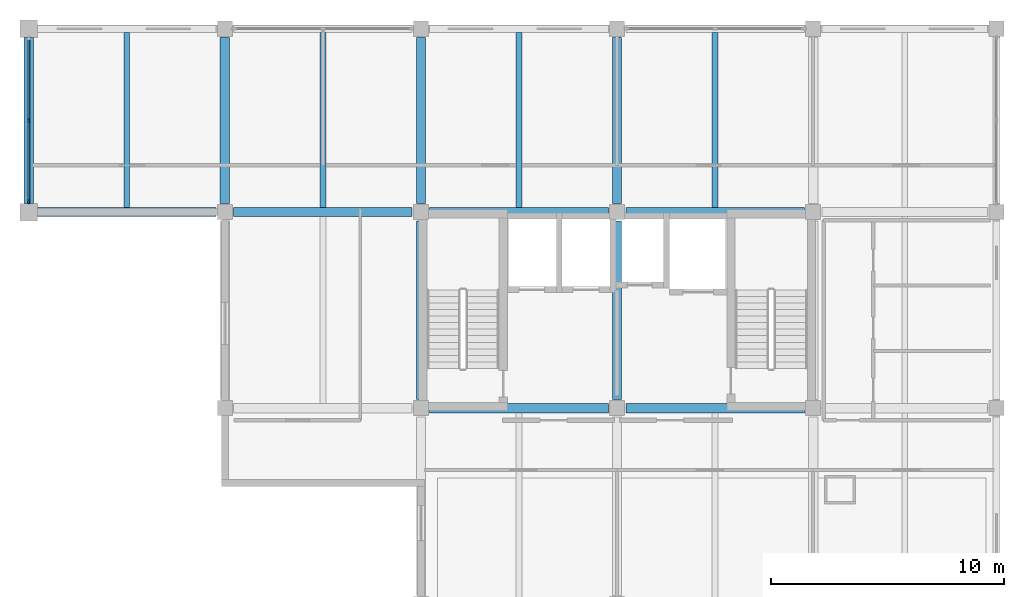
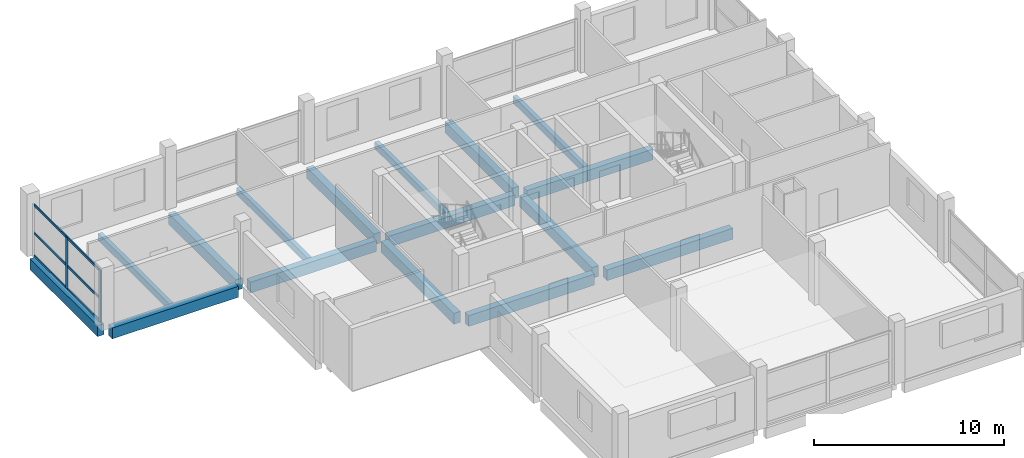
# One storey, part 3 of 9: 16 beams, 8 members, 1 element without a shape of its own.
"""IFC4 building model written with IfcOpenShell, lengths in metres."""

import ifcopenshell
import ifcopenshell.guid

model = None  # the IFC model being written
_history = None  # IfcOwnerHistory: only IFC2X3 demands one
_inside = {}  # id of a spatial element -> (the spatial element, [elements in it])
_under = {}  # id of a project, library or spatial element -> (it, [spatial elements below it])
_declared = {}  # id of a project -> (the project, [libraries it declares])
_typed = {}  # id of a type object -> (the type object, [elements of that type])
_made_of = {}  # id of a material, layer set ... -> (it, [elements and type objects made of it])


def new_model(schema):
    """Start an empty IFC model of exactly this schema.

    Asked for "IFC4X3", IfcOpenShell would pick the latest addendum, in which some entities
    have other attributes; the version numbers below select the first issue.
    IFC2X3 requires an IfcOwnerHistory on every rooted entity: one is made here for all.
    """
    global model, _history
    if schema == "IFC4X3":
        model = ifcopenshell.file(schema_version=(4, 3, 0, 0))
    else:
        model = ifcopenshell.file(schema=schema)
    _inside.clear()
    _under.clear()
    _declared.clear()
    _typed.clear()
    _made_of.clear()
    _history = None
    if model.schema == "IFC2X3":
        org = make("IfcOrganization", Name="unknown")
        user = make(
            "IfcPersonAndOrganization",
            ThePerson=make("IfcPerson", FamilyName="unknown"),
            TheOrganization=org,
        )
        app = make(
            "IfcApplication",
            ApplicationDeveloper=org,
            Version="unknown",
            ApplicationFullName="unknown",
            ApplicationIdentifier="unknown",
        )
        _history = make(
            "IfcOwnerHistory",
            OwningUser=user,
            OwningApplication=app,
            ChangeAction="ADDED",
            CreationDate=0,
        )
    return model


def make(cls, **values):
    """One entity of the class cls with the attributes given. An attribute that is None is left unset."""
    return model.create_entity(
        cls, **{name: value for name, value in values.items() if value is not None}
    )


def rooted(cls, **values):
    """An entity with a GlobalId (a new one), such as an element, a storey or a relation."""
    return make(cls, GlobalId=ifcopenshell.guid.new(), OwnerHistory=_history, **values)


def si_unit(unit_type, name, prefix=None):
    """IfcSIUnit, for example si_unit("LENGTHUNIT", "METRE", prefix="MILLI")."""
    return make("IfcSIUnit", UnitType=unit_type, Prefix=prefix, Name=name)


def assignment(units):
    """IfcUnitAssignment: the units of a project."""
    return None if units is None else make("IfcUnitAssignment", Units=units)


def point(xyz):
    """IfcCartesianPoint."""
    return None if xyz is None else make("IfcCartesianPoint", Coordinates=xyz)


def direction(xyz):
    """IfcDirection."""
    return None if xyz is None else make("IfcDirection", DirectionRatios=xyz)


def frame(location, z_axis=None, x_axis=None):
    """IfcAxis2Placement3D, a coordinate frame: its origin and axes. An axis left out is left unset."""
    return make(
        "IfcAxis2Placement3D",
        Location=point(location),
        Axis=direction(z_axis),
        RefDirection=direction(x_axis),
    )


def frame_2d(location, x_axis=None):
    """IfcAxis2Placement2D, a coordinate frame in the plane: its origin and x axis."""
    return make(
        "IfcAxis2Placement2D", Location=point(location), RefDirection=direction(x_axis)
    )


def origin():
    """The frame at (0, 0, 0) with its axes left unset."""
    return frame((0.0, 0.0, 0.0))


def origin_2d():
    """The frame at (0, 0) in the plane with its x axis left unset."""
    return frame_2d((0.0, 0.0))


def place(relative_to, where):
    """IfcLocalPlacement: puts the frame where relative to a parent placement (None: the world)."""
    return make(
        "IfcLocalPlacement", PlacementRelTo=relative_to, RelativePlacement=where
    )


def context(
    kind, dimensions, precision=None, world=None, true_north=None, identifier=None
):
    """IfcGeometricRepresentationContext, for example the 3D "Model" context."""
    return make(
        "IfcGeometricRepresentationContext",
        ContextIdentifier=identifier,
        ContextType=kind,
        CoordinateSpaceDimension=dimensions,
        Precision=precision,
        WorldCoordinateSystem=world,
        TrueNorth=true_north,
    )


def subcontext(parent, identifier, kind, view, scale=None):
    """IfcGeometricRepresentationSubContext, for example "Body" below "Model"."""
    return make(
        "IfcGeometricRepresentationSubContext",
        ContextIdentifier=identifier,
        ContextType=kind,
        ParentContext=parent,
        TargetScale=scale,
        TargetView=view,
    )


def project(units=None, contexts=None):
    """IfcProject with its units and contexts."""
    return rooted(
        "IfcProject",
        Name="project",
        RepresentationContexts=contexts,
        UnitsInContext=assignment(units),
    )


def spatial(cls, under=None, at=None, **own):
    """A site, building, storey or space (cls), placed at a placement, below another one or the project."""
    s = rooted(cls, ObjectPlacement=at, **own)
    if under is not None:
        _under.setdefault(under.id(), (under, []))[1].append(s)
    return s


def profile(cls, at=None, kind="AREA", **sizes):
    """A parametric profile (cls). Its sizes go by their IFC names, for example OverallWidth=200.0."""
    return make(cls, ProfileType=kind, Position=at, **sizes)


def rectangle(**sizes):
    """IfcRectangleProfileDef."""
    return profile("IfcRectangleProfileDef", **sizes)


def extrude(swept, where, along, depth):
    """IfcExtrudedAreaSolid: the profile swept, set in the frame where, extruded along a direction by depth."""
    return make(
        "IfcExtrudedAreaSolid",
        SweptArea=swept,
        Position=where,
        ExtrudedDirection=direction(along),
        Depth=depth,
    )


def shape(context_of_items, identifier, shape_type, items):
    """IfcShapeRepresentation: the items that make up one representation, for example the "Body"."""
    return make(
        "IfcShapeRepresentation",
        ContextOfItems=context_of_items,
        RepresentationIdentifier=identifier,
        RepresentationType=shape_type,
        Items=items,
    )


def material(Name=None, Category=None):
    """IfcMaterial."""
    return make("IfcMaterial", Name=Name, Category=Category)


def material_profile(
    of_material, cross_section, Name=None, Category=None, Priority=None
):
    """IfcMaterialProfile: a cross section and its material."""
    return make(
        "IfcMaterialProfile",
        Name=Name,
        Material=of_material,
        Profile=cross_section,
        Priority=Priority,
        Category=Category,
    )


def profile_set(profiles, Name=None, composite=None):
    """IfcMaterialProfileSet."""
    return make(
        "IfcMaterialProfileSet",
        Name=Name,
        MaterialProfiles=profiles,
        CompositeProfile=composite,
    )


def made_of(thing, what):
    """Note that an element or type object is made of a material, layer set ...; save() writes the relation."""
    if what is not None:
        _made_of.setdefault(what.id(), (what, []))[1].append(thing)
    return thing


def type_object(cls, material=None, **own):
    """A type object (cls), such as IfcWallType, which elements share."""
    return made_of(rooted(cls, **own), material)


def element(
    cls,
    number,
    at=None,
    inside=None,
    cuts=None,
    type_object=None,
    material=None,
    context=None,
    identifier="Body",
    shape_type=None,
    held_by="IfcProductDefinitionShape",
    body=None,
    shapes=None,
    **own,
):
    """One element of the class cls, such as IfcWall. Its Tag is "e" and its number.

    at: its placement. inside: the storey or other place that contains it. cuts: it is an
    opening in that element (IfcRelVoidsElement). A single representation is given by context,
    identifier, shape_type and body (its items); several are given by shapes. held_by: the class
    of the entity that holds the representations. save() writes the other relations.
    """
    e = rooted(cls, Tag="e%d" % number, ObjectPlacement=at, **own)
    if body is not None:
        shapes = [shape(context, identifier, shape_type, body)]
    if shapes is not None:
        e.Representation = make(held_by, Representations=shapes)
    if inside is not None:
        _inside.setdefault(inside.id(), (inside, []))[1].append(e)
    if cuts is not None:
        rooted(
            "IfcRelVoidsElement", RelatingBuildingElement=cuts, RelatedOpeningElement=e
        )
    if type_object is not None:
        _typed.setdefault(type_object.id(), (type_object, []))[1].append(e)
    return made_of(e, material)


def aggregate(whole, parts):
    """IfcRelAggregates: a whole, such as a stair, and the parts it consists of."""
    return rooted("IfcRelAggregates", RelatingObject=whole, RelatedObjects=parts)


def save(model, path):
    """Write the relations noted so far, then the file.

    IfcRelAggregates (storeys below a building ...), IfcRelContainedInSpatialStructure (elements
    in a storey), IfcRelDefinesByType, IfcRelAssociatesMaterial and IfcRelDeclares: one each for
    every whole, place, type object, material and project.
    """
    for whole, parts in _under.values():
        aggregate(whole, parts)
    for where, things in _inside.values():
        rooted(
            "IfcRelContainedInSpatialStructure",
            RelatedElements=things,
            RelatingStructure=where,
        )
    for kind, things in _typed.values():
        rooted("IfcRelDefinesByType", RelatedObjects=things, RelatingType=kind)
    for what, things in _made_of.values():
        rooted("IfcRelAssociatesMaterial", RelatedObjects=things, RelatingMaterial=what)
    for by, libraries in _declared.values():
        rooted("IfcRelDeclares", RelatingContext=by, RelatedDefinitions=libraries)
    model.write(path)


model = new_model("IFC4")

# Units and contexts
model_context = context("Model", 3, precision=1e-05, world=origin(), true_north=direction((0.0, 1.0)))
body_context = subcontext(model_context, "Body", "Model", "MODEL_VIEW")
ifc_project = project(units=[si_unit("LENGTHUNIT", "METRE"), si_unit("AREAUNIT", "SQUARE_METRE"), si_unit("VOLUMEUNIT", "CUBIC_METRE"), si_unit("PLANEANGLEUNIT", "RADIAN"), si_unit("MASSUNIT", "GRAM", prefix="KILO")], contexts=[model_context])

# Site, building, storey
site_placement = place(None, origin())
site = spatial("IfcSite", under=ifc_project, at=site_placement, CompositionType="ELEMENT")
building_placement = place(site_placement, origin())
building = spatial("IfcBuilding", under=site, at=building_placement, Name="Brinegate Botanical Conservatory", CompositionType="ELEMENT")
storey_placement = place(building_placement, frame((0.0, 0.0, 57.0)))
storey = spatial("IfcBuildingStorey", under=building, at=storey_placement, Name="L14", CompositionType="ELEMENT", Elevation=57.0)

# Beams
ifc_material_1 = material(Name="Concrete C40/50", Category="concrete")
ifc_material_profile_1 = material_profile(ifc_material_1, rectangle(XDim=0.39990234375, YDim=0.699951171875, at=origin_2d()), Name="RC BM 400x700")
ifc_profile_set_1 = profile_set([ifc_material_profile_1], Name="Concrete C40/50")
beam_type_1 = type_object("IfcBeamType", Name="Beam_BM-T2", PredefinedType="BEAM", material=ifc_profile_set_1)
beam_1_placement = place(storey_placement, frame((139.175048828125, 95.199951171875, -0.52001953125), z_axis=(1.0, 0.0, 0.0), x_axis=(0.0, 1.0, 0.0)))
element("IfcBeam", 1, at=beam_1_placement, inside=storey, type_object=beam_type_1, Name="Beam BM-T2 L14 M:18-19", PredefinedType="BEAM", context=body_context, shape_type="SweptSolid", body=[
    extrude(rectangle(XDim=0.39990234375, YDim=0.699951171875, at=origin_2d()), origin(), (0.0, 0.0, 1.0), 7.64990234375),
])
beam_2_placement = place(storey_placement, frame((147.574951171875, 95.199951171875, -0.52001953125), z_axis=(1.0, 0.0, 0.0), x_axis=(0.0, 1.0, 0.0)))
element("IfcBeam", 2, at=beam_2_placement, inside=storey, type_object=beam_type_1, Name="Beam BM-T2 L14 M:19-20", PredefinedType="BEAM", context=body_context, shape_type="SweptSolid", body=[
    extrude(rectangle(XDim=0.39990234375, YDim=0.699951171875, at=origin_2d()), origin(), (0.0, 0.0, 1.0), 7.650146484375),
])
beam_3_placement = place(storey_placement, frame((122.375, 103.60009765625, -0.52001953125), z_axis=(1.0, 0.0, 0.0), x_axis=(0.0, 1.0, 0.0)))
element("IfcBeam", 3, at=beam_3_placement, inside=storey, type_object=beam_type_1, Name="Beam BM-T2 L14 N:16-17", PredefinedType="BEAM", context=body_context, shape_type="SweptSolid", body=[
    extrude(rectangle(XDim=0.39990234375, YDim=0.699951171875, at=origin_2d()), origin(), (0.0, 0.0, 1.0), 7.64990234375),
])
beam_4_placement = place(storey_placement, frame((130.77490234375, 103.60009765625, -0.52001953125), z_axis=(1.0, 0.0, 0.0), x_axis=(0.0, 1.0, 0.0)))
element("IfcBeam", 4, at=beam_4_placement, inside=storey, type_object=beam_type_1, Name="Beam BM-T2 L14 N:17-18", PredefinedType="BEAM", context=body_context, shape_type="SweptSolid", body=[
    extrude(rectangle(XDim=0.39990234375, YDim=0.699951171875, at=origin_2d()), origin(), (0.0, 0.0, 1.0), 7.650146484375),
])
beam_5_placement = place(storey_placement, frame((139.175048828125, 103.60009765625, -0.52001953125), z_axis=(1.0, 0.0, 0.0), x_axis=(0.0, 1.0, 0.0)))
element("IfcBeam", 5, at=beam_5_placement, inside=storey, type_object=beam_type_1, Name="Beam BM-T2 L14 N:18-19", PredefinedType="BEAM", context=body_context, shape_type="SweptSolid", body=[
    extrude(rectangle(XDim=0.39990234375, YDim=0.699951171875, at=origin_2d()), origin(), (0.0, 0.0, 1.0), 7.64990234375),
])
beam_6_placement = place(storey_placement, frame((147.574951171875, 103.60009765625, -0.52001953125), z_axis=(1.0, 0.0, 0.0), x_axis=(0.0, 1.0, 0.0)))
element("IfcBeam", 6, at=beam_6_placement, inside=storey, type_object=beam_type_1, Name="Beam BM-T2 L14 N:19-20", PredefinedType="BEAM", context=body_context, shape_type="SweptSolid", body=[
    extrude(rectangle(XDim=0.39990234375, YDim=0.699951171875, at=origin_2d()), origin(), (0.0, 0.0, 1.0), 7.650146484375),
])
for number, where, z_axis, x_axis, name in (
    (7, (122.0, 103.97509765625, -0.52001953125), (0.0, 1.0, 0.0), (-1.0, 0.0, 0.0), "Beam BM-T2 L14 16:N-P"),
    (8, (130.39990234375, 103.97509765625, -0.52001953125), (0.0, 1.0, 0.0), (-1.0, 0.0, 0.0), "Beam BM-T2 L14 17:N-P"),
):
    element("IfcBeam", number, at=place(storey_placement, frame(where, z_axis=z_axis, x_axis=x_axis)), inside=storey, type_object=beam_type_1, Name=name, PredefinedType="BEAM", context=body_context, shape_type="SweptSolid", body=[
        extrude(rectangle(XDim=0.39990234375, YDim=0.699951171875, at=origin_2d()), origin(), (0.0, 0.0, 1.0), 7.099853515625),
    ])
beam_7_placement = place(storey_placement, frame((138.800048828125, 95.574951171875, -0.52001953125), z_axis=(0.0, 1.0, 0.0), x_axis=(-1.0, 0.0, 0.0)))
element("IfcBeam", 9, at=beam_7_placement, inside=storey, type_object=beam_type_1, Name="Beam BM-T2 L14 18:M-N", PredefinedType="BEAM", context=body_context, shape_type="SweptSolid", body=[
    extrude(rectangle(XDim=0.39990234375, YDim=0.699951171875, at=origin_2d()), origin(), (0.0, 0.0, 1.0), 7.650146484375),
])
beam_8_placement = place(storey_placement, frame((138.800048828125, 103.97509765625, -0.52001953125), z_axis=(0.0, 1.0, 0.0), x_axis=(-1.0, 0.0, 0.0)))
element("IfcBeam", 10, at=beam_8_placement, inside=storey, type_object=beam_type_1, Name="Beam BM-T2 L14 18:N-P", PredefinedType="BEAM", context=body_context, shape_type="SweptSolid", body=[
    extrude(rectangle(XDim=0.39990234375, YDim=0.699951171875, at=origin_2d()), origin(), (0.0, 0.0, 1.0), 7.099853515625),
])
beam_9_placement = place(storey_placement, frame((147.199951171875, 95.574951171875, -0.52001953125), z_axis=(0.0, 1.0, 0.0), x_axis=(-1.0, 0.0, 0.0)))
element("IfcBeam", 11, at=beam_9_placement, inside=storey, type_object=beam_type_1, Name="Beam BM-T2 L14 19:M-N", PredefinedType="BEAM", context=body_context, shape_type="SweptSolid", body=[
    extrude(rectangle(XDim=0.39990234375, YDim=0.699951171875, at=origin_2d()), origin(), (0.0, 0.0, 1.0), 7.650146484375),
])
beam_10_placement = place(storey_placement, frame((147.199951171875, 103.97509765625, -0.52001953125), z_axis=(0.0, 1.0, 0.0), x_axis=(-1.0, 0.0, 0.0)))
element("IfcBeam", 12, at=beam_10_placement, inside=storey, type_object=beam_type_1, Name="Beam BM-T2 L14 19:N-P", PredefinedType="BEAM", context=body_context, shape_type="SweptSolid", body=[
    extrude(rectangle(XDim=0.39990234375, YDim=0.699951171875, at=origin_2d()), origin(), (0.0, 0.0, 1.0), 7.099853515625),
])
ifc_material_profile_2 = material_profile(ifc_material_1, rectangle(XDim=0.25, YDim=0.449951171875, at=origin_2d()), Name="RC JST 250x450")
ifc_profile_set_2 = profile_set([ifc_material_profile_2], Name="Concrete C40/50")
beam_type_2 = type_object("IfcBeamType", Name="Beam_JS-C3", PredefinedType="JOIST", material=ifc_profile_set_2)
for number, where, z_axis, x_axis, name in (
    (13, (126.199951171875, 103.800048828125, -0.39501953125), (0.0, 1.0, 0.0), (-1.0, 0.0, 0.0), "Floor joist JS-C3 L14 bay 16.13"),
    (14, (134.60009765625, 103.800048828125, -0.39501953125), (0.0, 1.0, 0.0), (-1.0, 0.0, 0.0), "Floor joist JS-C3 L14 bay 17.13"),
    (15, (143.0, 103.800048828125, -0.39501953125), (0.0, 1.0, 0.0), (-1.0, 0.0, 0.0), "Floor joist JS-C3 L14 bay 18.13"),
    (16, (151.39990234375, 103.800048828125, -0.39501953125), (0.0, 1.0, 0.0), (-1.0, 0.0, 0.0), "Floor joist JS-C3 L14 bay 19.13"),
):
    element("IfcBeam", number, at=place(storey_placement, frame(where, z_axis=z_axis, x_axis=x_axis)), inside=storey, type_object=beam_type_2, Name=name, PredefinedType="JOIST", context=body_context, shape_type="SweptSolid", body=[
        extrude(rectangle(XDim=0.25, YDim=0.449951171875, at=origin_2d()), origin(), (0.0, 0.0, 1.0), 7.5),
    ])

# Curtain wall, members
ifc_material_2 = material(Name="Thermally broken anodised aluminium AW-6063-T6", Category="aluminium")
curtain_wall_type = type_object("IfcCurtainWallType", Name="CW_CW-TW1", PredefinedType="USERDEFINED", material=ifc_material_2)
curtain_wall_placement = place(storey_placement, origin())
curtain_wall = element("IfcCurtainWall", 17, at=curtain_wall_placement, inside=storey, type_object=curtain_wall_type, Name="Tower north-west curtain wall L14", ObjectType="FACTORY CURTAIN WALL", PredefinedType="USERDEFINED")
ifc_material_profile_3 = material_profile(ifc_material_2, rectangle(XDim=0.070068359375, YDim=0.199951171875, at=origin_2d()), Name="ALUM MULLION 70x200")
ifc_profile_set_3 = profile_set([ifc_material_profile_3], Name="Thermally broken anodised aluminium AW-6063-T6")
member_type_1 = type_object("IfcMemberType", Name="Member_ML-03", PredefinedType="MULLION", material=ifc_profile_set_3)
member_1_placement = place(storey_placement, frame((122.0, 104.050048828125, 0.0), z_axis=(0.0, 0.0, 1.0), x_axis=(-1.0, 0.0, 0.0)))
member_1 = element("IfcMember", 18, at=member_1_placement, type_object=member_type_1, Name="CW-TW1 mullion 1", PredefinedType="MULLION", context=body_context, shape_type="SweptSolid", body=[
    extrude(rectangle(XDim=0.070068359375, YDim=0.199951171875, at=origin_2d()), origin(), (0.0, 0.0, 1.0), 3.320068359375),
])
member_2_placement = place(storey_placement, frame((122.0, 107.52490234375, 0.0), z_axis=(0.0, 0.0, 1.0), x_axis=(-1.0, 0.0, 0.0)))
member_2 = element("IfcMember", 19, at=member_2_placement, type_object=member_type_1, Name="CW-TW1 mullion 2", PredefinedType="MULLION", context=body_context, shape_type="SweptSolid", body=[
    extrude(rectangle(XDim=0.070068359375, YDim=0.199951171875, at=origin_2d()), origin(), (0.0, 0.0, 1.0), 3.320068359375),
])
ifc_material_profile_4 = material_profile(ifc_material_2, rectangle(XDim=0.070068359375, YDim=0.14990234375, at=origin_2d()), Name="ALUM TRANSOM 70x150")
ifc_profile_set_4 = profile_set([ifc_material_profile_4], Name="Thermally broken anodised aluminium AW-6063-T6")
member_type_2 = type_object("IfcMemberType", Name="Member_TR-03", PredefinedType="USERDEFINED", material=ifc_profile_set_4)
member_3_placement = place(storey_placement, frame((122.0, 104.0849609375, 0.034912109375), z_axis=(0.0, 1.0, 0.0), x_axis=(-1.0, 0.0, 0.0)))
member_3 = element("IfcMember", 20, at=member_3_placement, type_object=member_type_2, Name="CW-TW1 transom 1.1", ObjectType="TRANSOM", PredefinedType="USERDEFINED", context=body_context, shape_type="SweptSolid", body=[
    extrude(rectangle(XDim=0.070068359375, YDim=0.14990234375, at=origin_2d()), origin(), (0.0, 0.0, 1.0), 3.405029296875),
])
member_4_placement = place(storey_placement, frame((122.0, 104.0849609375, 1.493896484375), z_axis=(0.0, 1.0, 0.0), x_axis=(-1.0, 0.0, 0.0)))
member_4 = element("IfcMember", 21, at=member_4_placement, type_object=member_type_2, Name="CW-TW1 transom 1.2", ObjectType="TRANSOM", PredefinedType="USERDEFINED", context=body_context, shape_type="SweptSolid", body=[
    extrude(rectangle(XDim=0.070068359375, YDim=0.14990234375, at=origin_2d()), origin(), (0.0, 0.0, 1.0), 3.405029296875),
])
member_5_placement = place(storey_placement, frame((122.0, 104.0849609375, 3.284912109375), z_axis=(0.0, 1.0, 0.0), x_axis=(-1.0, 0.0, 0.0)))
member_5 = element("IfcMember", 22, at=member_5_placement, type_object=member_type_2, Name="CW-TW1 transom 1.3", ObjectType="TRANSOM", PredefinedType="USERDEFINED", context=body_context, shape_type="SweptSolid", body=[
    extrude(rectangle(XDim=0.070068359375, YDim=0.14990234375, at=origin_2d()), origin(), (0.0, 0.0, 1.0), 3.405029296875),
])
member_6_placement = place(storey_placement, frame((122.0, 107.56005859375, 0.034912109375), z_axis=(0.0, 1.0, 0.0), x_axis=(-1.0, 0.0, 0.0)))
member_6 = element("IfcMember", 23, at=member_6_placement, type_object=member_type_2, Name="CW-TW1 transom 2.1", ObjectType="TRANSOM", PredefinedType="USERDEFINED", context=body_context, shape_type="SweptSolid", body=[
    extrude(rectangle(XDim=0.070068359375, YDim=0.14990234375, at=origin_2d()), origin(), (0.0, 0.0, 1.0), 3.405029296875),
])
member_7_placement = place(storey_placement, frame((122.0, 107.56005859375, 1.493896484375), z_axis=(0.0, 1.0, 0.0), x_axis=(-1.0, 0.0, 0.0)))
member_7 = element("IfcMember", 24, at=member_7_placement, type_object=member_type_2, Name="CW-TW1 transom 2.2", ObjectType="TRANSOM", PredefinedType="USERDEFINED", context=body_context, shape_type="SweptSolid", body=[
    extrude(rectangle(XDim=0.070068359375, YDim=0.14990234375, at=origin_2d()), origin(), (0.0, 0.0, 1.0), 3.405029296875),
])
member_8_placement = place(storey_placement, frame((122.0, 107.56005859375, 3.284912109375), z_axis=(0.0, 1.0, 0.0), x_axis=(-1.0, 0.0, 0.0)))
member_8 = element("IfcMember", 25, at=member_8_placement, type_object=member_type_2, Name="CW-TW1 transom 2.3", ObjectType="TRANSOM", PredefinedType="USERDEFINED", context=body_context, shape_type="SweptSolid", body=[
    extrude(rectangle(XDim=0.070068359375, YDim=0.14990234375, at=origin_2d()), origin(), (0.0, 0.0, 1.0), 3.405029296875),
])
aggregate(curtain_wall, [member_1, member_2, member_3, member_4, member_5, member_6, member_7, member_8])

save(model, "model.ifc")
